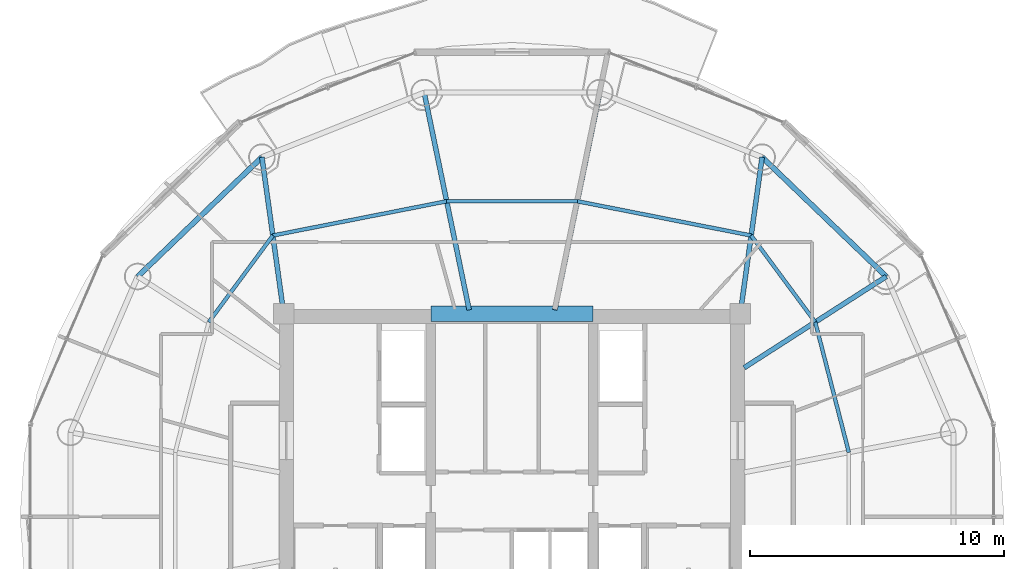
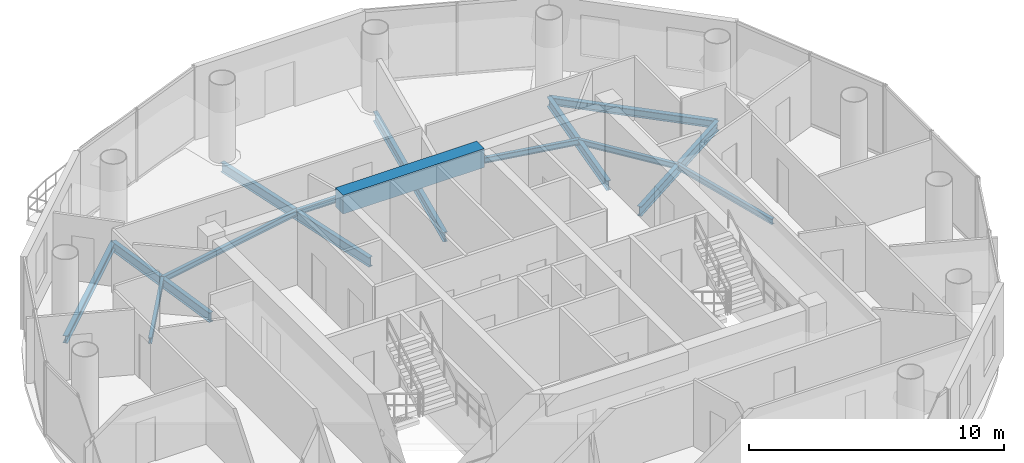
# One storey, part 8 of 21: 14 beams.
"""IFC4 building model written with IfcOpenShell, lengths in metres."""

from ifc_helpers import new_model, si_unit, direction, frame, origin, origin_2d, place, context, subcontext, project, spatial, rectangle, i_section, extrude, material, material_profile, profile_set, type_object, element, save


model = new_model("IFC4")

# Units and contexts
model_context = context("Model", 3, precision=1e-05, world=origin(), true_north=direction((-0.2419218956, 0.970295726276)))
body_context = subcontext(model_context, "Body", "Model", "MODEL_VIEW")
ifc_project = project(units=[si_unit("LENGTHUNIT", "METRE"), si_unit("AREAUNIT", "SQUARE_METRE"), si_unit("VOLUMEUNIT", "CUBIC_METRE"), si_unit("PLANEANGLEUNIT", "RADIAN"), si_unit("MASSUNIT", "GRAM", prefix="KILO")], contexts=[model_context])

# Site, building, storey
site_placement = place(None, origin())
site = spatial("IfcSite", under=ifc_project, at=site_placement, CompositionType="ELEMENT")
building_placement = place(site_placement, origin())
building = spatial("IfcBuilding", under=site, at=building_placement, Name="Cobrevalo Terracotta Tower", CompositionType="ELEMENT")
storey_placement = place(building_placement, frame((0.0, 0.0, 285.699951171875)))
storey = spatial("IfcBuildingStorey", under=building, at=storey_placement, Name="L75", CompositionType="ELEMENT", Elevation=285.699951171875)

# Beams
ifc_material_1 = material(Name="Concrete C60", Category="concrete")
ifc_material_profile_1 = material_profile(ifc_material_1, rectangle(XDim=0.60009765625, YDim=0.89990234375, at=origin_2d()), Name="RC CB 600x900")
ifc_profile_set_1 = profile_set([ifc_material_profile_1], Name="Concrete C60")
beam_type_1 = type_object("IfcBeamType", Name="Structural Beam RC CB 600x900 (Concrete C60)", PredefinedType="BEAM", material=ifc_profile_set_1)
beam_1_placement = place(storey_placement, frame((34.800048828125, 34.800048828125, 3.0400390625), z_axis=(1.0, 0.0, 0.0), x_axis=(0.0, 1.0, 0.0)))
element("IfcBeam", 1, at=beam_1_placement, inside=storey, type_object=beam_type_1, Name="L75 core coupling beam 2", PredefinedType="BEAM", context=body_context, shape_type="SweptSolid", body=[
    extrude(rectangle(XDim=0.60009765625, YDim=0.89990234375, at=origin_2d()), origin(), (0.0, 0.0, 1.0), 6.39990234375),
])
ifc_material_2 = material(Name="Steel S355", Category="steel")
ifc_material_profile_2 = material_profile(ifc_material_2, i_section(OverallWidth=0.19091796875, OverallDepth=0.4599609375, WebThickness=0.010009765625, FlangeThickness=0.01611328125, at=origin_2d()), Name="W 460x82")
ifc_profile_set_2 = profile_set([ifc_material_profile_2], Name="Steel S355")
beam_type_2 = type_object("IfcBeamType", Name="Structural Beam W 460x82 (Steel S355)", PredefinedType="BEAM", material=ifc_profile_set_2)
beam_2_placement = place(storey_placement, frame((52.758544921875, 36.2724609375, -0.489990234375), z_axis=(-0.84157615512, -0.540138477739, 0.0), x_axis=(0.540138477739, -0.84157615512, 0.0)))
element("IfcBeam", 2, at=beam_2_placement, inside=storey, type_object=beam_type_2, Name="L75 radial floor girder 02", PredefinedType="BEAM", context=body_context, shape_type="SweptSolid", body=[
    extrude(i_section(OverallWidth=0.19091796875, OverallDepth=0.4599609375, WebThickness=0.010009765625, FlangeThickness=0.01611328125, at=origin_2d()), origin(), (0.0, 0.0, 1.0), 6.658447265625),
])
beam_3_placement = place(storey_placement, frame((47.861328125, 40.9765625, -0.489990234375), z_axis=(-0.138115657759, -0.990416107039, 0.0), x_axis=(0.990416107039, -0.138115657759, 0.0)))
element("IfcBeam", 3, at=beam_3_placement, inside=storey, type_object=beam_type_2, Name="L75 radial floor girder 03", PredefinedType="BEAM", context=body_context, shape_type="SweptSolid", body=[
    extrude(i_section(OverallWidth=0.19091796875, OverallDepth=0.4599609375, WebThickness=0.010009765625, FlangeThickness=0.01611328125, at=origin_2d()), origin(), (0.0, 0.0, 1.0), 6.236328125),
])
for number, where, z_axis, x_axis, name in (
    (4, (41.462890625, 43.5224609375, -0.489990234375), (-0.202781841237, -0.9792239401, 0.0), (0.9792239401, -0.202781841237, 0.0), "L75 radial floor girder 04"),
    (5, (34.537109375, 43.5224609375, -0.489990234375), (0.202781841237, -0.9792239401, 0.0), (0.9792239401, 0.202781841237, 0.0), "L75 radial floor girder 05"),
):
    element("IfcBeam", number, at=place(storey_placement, frame(where, z_axis=z_axis, x_axis=x_axis)), inside=storey, type_object=beam_type_2, Name=name, PredefinedType="BEAM", context=body_context, shape_type="SweptSolid", body=[
        extrude(i_section(OverallWidth=0.19091796875, OverallDepth=0.4599609375, WebThickness=0.010009765625, FlangeThickness=0.01611328125, at=origin_2d()), origin(), (0.0, 0.0, 1.0), 8.749267578125),
    ])
beam_4_placement = place(storey_placement, frame((28.138671875, 40.9765625, -0.489990234375), z_axis=(0.138115657759, -0.990416107039, 0.0), x_axis=(0.990416107039, 0.138115657759, 0.0)))
element("IfcBeam", 6, at=beam_4_placement, inside=storey, type_object=beam_type_2, Name="L75 radial floor girder 06", PredefinedType="BEAM", context=body_context, shape_type="SweptSolid", body=[
    extrude(i_section(OverallWidth=0.19091796875, OverallDepth=0.4599609375, WebThickness=0.010009765625, FlangeThickness=0.01611328125, at=origin_2d()), origin(), (0.0, 0.0, 1.0), 6.236328125),
])
ifc_material_profile_3 = material_profile(ifc_material_2, i_section(OverallWidth=0.14794921875, OverallDepth=0.26611328125, WebThickness=0.007568359375, FlangeThickness=0.012939453125, at=origin_2d()), Name="W 250x44.8")
ifc_profile_set_3 = profile_set([ifc_material_profile_3], Name="Steel S355")
beam_type_3 = type_object("IfcBeamType", Name="Structural Joist W 250x44.8 (Steel S355)", PredefinedType="JOIST", material=ifc_profile_set_3)
beam_5_placement = place(storey_placement, frame((51.281982421875, 29.337646484375, -0.39306640625), z_axis=(-0.249816773293, 0.968293126993, 0.0), x_axis=(-0.968293126993, -0.249816773293, 0.0)))
element("IfcBeam", 7, at=beam_5_placement, inside=storey, type_object=beam_type_3, Name="L75 circumferential secondary floor joist 01", PredefinedType="JOIST", context=body_context, shape_type="SweptSolid", body=[
    extrude(i_section(OverallWidth=0.14794921875, OverallDepth=0.26611328125, WebThickness=0.007568359375, FlangeThickness=0.012939453125, at=origin_2d()), origin(), (0.0, 0.0, 1.0), 5.3046875),
])
beam_6_placement = place(storey_placement, frame((49.956787109375, 34.47412109375, -0.39306640625), z_axis=(-0.594799916617, 0.803873783123, 0.0), x_axis=(-0.803873783123, -0.594799916617, 0.0)))
element("IfcBeam", 8, at=beam_6_placement, inside=storey, type_object=beam_type_3, Name="L75 circumferential secondary floor joist 02", PredefinedType="JOIST", context=body_context, shape_type="SweptSolid", body=[
    extrude(i_section(OverallWidth=0.14794921875, OverallDepth=0.26611328125, WebThickness=0.007568359375, FlangeThickness=0.012939453125, at=origin_2d()), origin(), (0.0, 0.0, 1.0), 4.2470703125),
])
beam_7_placement = place(storey_placement, frame((47.4306640625, 37.88818359375, -0.39306640625), z_axis=(-0.98113843359, 0.19330642548, 0.0), x_axis=(-0.19330642548, -0.98113843359, 0.0)))
element("IfcBeam", 9, at=beam_7_placement, inside=storey, type_object=beam_type_3, Name="L75 circumferential secondary floor joist 03", PredefinedType="JOIST", context=body_context, shape_type="SweptSolid", body=[
    extrude(i_section(OverallWidth=0.14794921875, OverallDepth=0.26611328125, WebThickness=0.007568359375, FlangeThickness=0.012939453125, at=origin_2d()), origin(), (0.0, 0.0, 1.0), 6.98681640625),
])
beam_8_placement = place(storey_placement, frame((40.57568359375, 39.23876953125, -0.39306640625), z_axis=(-1.0, 0.0, 0.0), x_axis=(0.0, -1.0, 0.0)))
element("IfcBeam", 10, at=beam_8_placement, inside=storey, type_object=beam_type_3, Name="L75 circumferential secondary floor joist 04", PredefinedType="JOIST", context=body_context, shape_type="SweptSolid", body=[
    extrude(i_section(OverallWidth=0.14794921875, OverallDepth=0.26611328125, WebThickness=0.007568359375, FlangeThickness=0.012939453125, at=origin_2d()), origin(), (0.0, 0.0, 1.0), 5.1513671875),
])
beam_9_placement = place(storey_placement, frame((35.42431640625, 39.23876953125, -0.39306640625), z_axis=(-0.98113843359, -0.19330642548, 0.0), x_axis=(0.19330642548, -0.98113843359, 0.0)))
element("IfcBeam", 11, at=beam_9_placement, inside=storey, type_object=beam_type_3, Name="L75 circumferential secondary floor joist 05", PredefinedType="JOIST", context=body_context, shape_type="SweptSolid", body=[
    extrude(i_section(OverallWidth=0.14794921875, OverallDepth=0.26611328125, WebThickness=0.007568359375, FlangeThickness=0.012939453125, at=origin_2d()), origin(), (0.0, 0.0, 1.0), 6.98681640625),
])
beam_10_placement = place(storey_placement, frame((28.5693359375, 37.88818359375, -0.39306640625), z_axis=(-0.594799916617, -0.803873783123, 0.0), x_axis=(0.803873783123, -0.594799916617, 0.0)))
element("IfcBeam", 12, at=beam_10_placement, inside=storey, type_object=beam_type_3, Name="L75 circumferential secondary floor joist 06", PredefinedType="JOIST", context=body_context, shape_type="SweptSolid", body=[
    extrude(i_section(OverallWidth=0.14794921875, OverallDepth=0.26611328125, WebThickness=0.007568359375, FlangeThickness=0.012939453125, at=origin_2d()), origin(), (0.0, 0.0, 1.0), 4.2470703125),
])
ifc_material_profile_4 = material_profile(ifc_material_2, i_section(OverallWidth=0.205078125, OverallDepth=0.35400390625, WebThickness=0.009521484375, FlangeThickness=0.016845703125, at=origin_2d()), Name="W 360x79")
ifc_profile_set_4 = profile_set([ifc_material_profile_4], Name="Steel S355")
beam_type_4 = type_object("IfcBeamType", Name="Structural Spandrel W 360x79 (Steel S355)", PredefinedType="SPANDREL", material=ifc_profile_set_4)
for number, where, z_axis, x_axis, name in (
    (13, (52.758544921875, 36.2724609375, -0.43701171875), (-0.721183246144, 0.692744343522, 0.0), (-0.692744343522, -0.721183246144, 0.0), "L75 perimeter ring spandrel 02"),
    (14, (28.138671875, 40.9765625, -0.43701171875), (-0.721183246144, -0.692744343522, 0.0), (0.692744343522, -0.721183246144, 0.0), "L75 perimeter ring spandrel 06"),
):
    element("IfcBeam", number, at=place(storey_placement, frame(where, z_axis=z_axis, x_axis=x_axis)), inside=storey, type_object=beam_type_4, Name=name, PredefinedType="SPANDREL", context=body_context, shape_type="SweptSolid", body=[
        extrude(i_section(OverallWidth=0.205078125, OverallDepth=0.35400390625, WebThickness=0.009521484375, FlangeThickness=0.016845703125, at=origin_2d()), origin(), (0.0, 0.0, 1.0), 6.79052734375),
    ])

save(model, "model.ifc")
